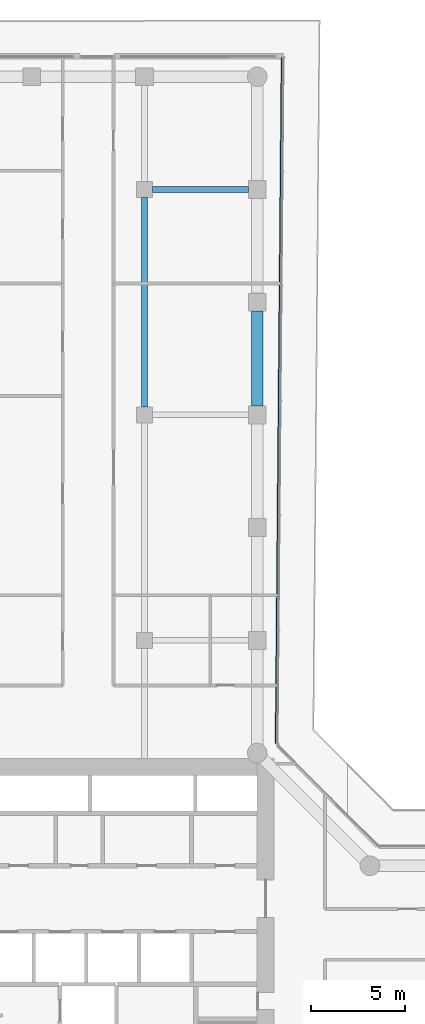
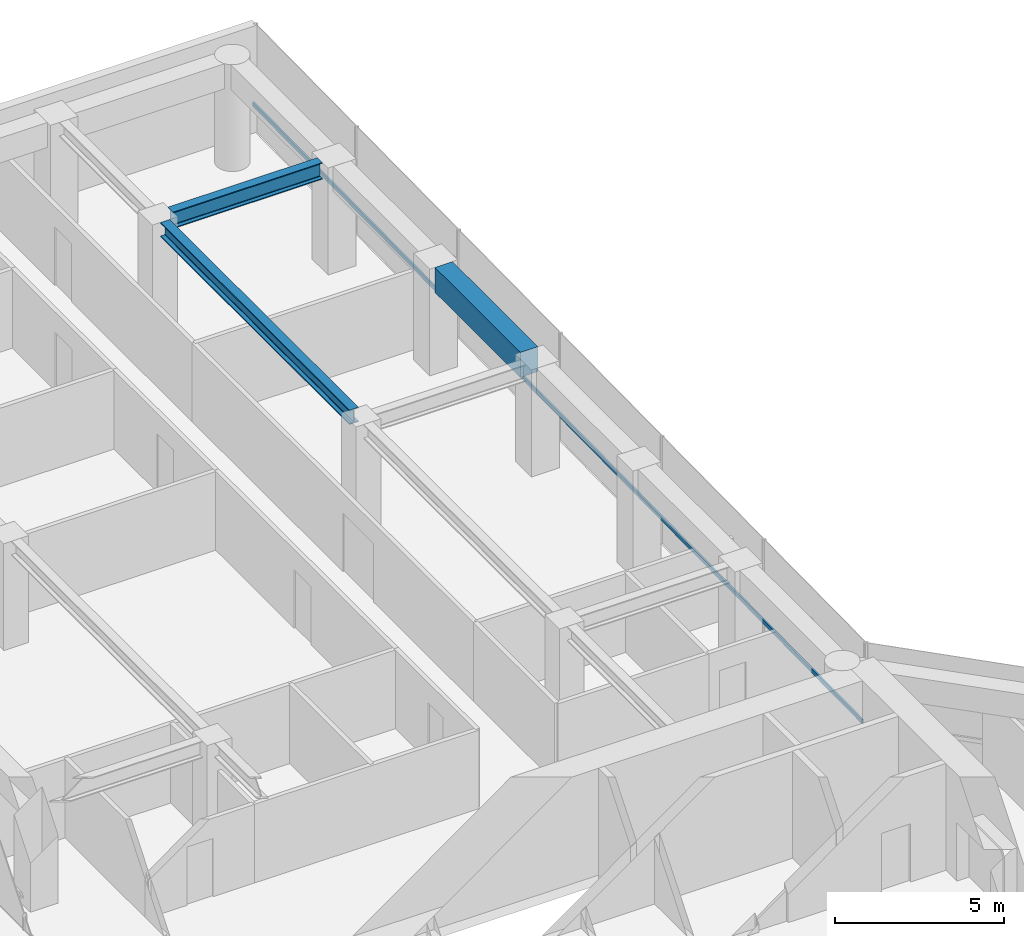
# One storey, part 18 of 29: 3 beams, 1 member, 1 element without a shape of its own.
"""IFC4 building model written with IfcOpenShell, lengths in metres."""

from ifc_helpers import new_model, si_unit, direction, frame, origin, origin_2d, place, context, subcontext, project, spatial, rectangle, i_section, extrude, material, layer, layer_set, material_profile, profile_set, type_object, element, aggregate, save


model = new_model("IFC4")

# Units and contexts
model_context = context("Model", 3, precision=1e-05, world=origin(), true_north=direction((0.0, 1.0)))
body_context = subcontext(model_context, "Body", "Model", "MODEL_VIEW")
ifc_project = project(units=[si_unit("LENGTHUNIT", "METRE"), si_unit("AREAUNIT", "SQUARE_METRE"), si_unit("VOLUMEUNIT", "CUBIC_METRE"), si_unit("PLANEANGLEUNIT", "RADIAN"), si_unit("MASSUNIT", "GRAM", prefix="KILO")], contexts=[model_context])

# Site, building, storey
site_placement = place(None, origin())
site = spatial("IfcSite", under=ifc_project, at=site_placement, CompositionType="ELEMENT")
building_placement = place(site_placement, origin())
building = spatial("IfcBuilding", under=site, at=building_placement, Name="Welwitschia Terrace Campus", CompositionType="ELEMENT")
storey_placement = place(building_placement, frame((0.0, 0.0, 50.0)))
storey = spatial("IfcBuildingStorey", under=building, at=storey_placement, Name="L11", CompositionType="ELEMENT", Elevation=50.0)

# Beams
ifc_material_1 = material(Name="Steel S355", Category="steel")
ifc_material_profile_1 = material_profile(ifc_material_1, i_section(OverallWidth=0.305908203125, OverallDepth=0.52392578125, WebThickness=0.02099609375, FlangeThickness=0.0400390625, FilletRadius=0.027099609375, at=origin_2d()))
ifc_profile_set_1 = profile_set([ifc_material_profile_1], Name="Steel S355")
beam_type_1 = type_object("IfcBeamType", Name="Interior girder HE 500 M", PredefinedType="BEAM", material=ifc_profile_set_1)
beam_1_placement = place(storey_placement, frame((18.0, 44.425537109375, 3.587890625), z_axis=(0.0, 1.0, 0.0), x_axis=(-1.0, 0.0, 0.0)))
element("IfcBeam", 1, at=beam_1_placement, inside=storey, type_object=beam_type_1, Name="Girder GB2", PredefinedType="BEAM", context=body_context, shape_type="SweptSolid", body=[
    extrude(i_section(OverallWidth=0.305908203125, OverallDepth=0.52392578125, WebThickness=0.02099609375, FlangeThickness=0.0400390625, FilletRadius=0.027099609375, at=origin_2d()), origin(), (0.0, 0.0, 1.0), 11.14892578125),
])
ifc_material_2 = material(Name="Steel S355", Category="steel")
ifc_material_profile_2 = material_profile(ifc_material_2, i_section(OverallWidth=0.300048828125, OverallDepth=0.60009765625, WebThickness=0.015380859375, FlangeThickness=0.030029296875, FilletRadius=0.027099609375, at=origin_2d()))
ifc_profile_set_2 = profile_set([ifc_material_profile_2], Name="Steel S355")
beam_type_2 = type_object("IfcBeamType", Name="Primary beam HE 600 B", PredefinedType="BEAM", material=ifc_profile_set_2)
beam_2_placement = place(storey_placement, frame((23.5244140625, 56.0, 3.550048828125), z_axis=(-1.0, 0.0, 0.0), x_axis=(0.0, -1.0, 0.0)))
element("IfcBeam", 2, at=beam_2_placement, inside=storey, type_object=beam_type_2, Name="Primary beam PB2", PredefinedType="BEAM", context=body_context, shape_type="SweptSolid", body=[
    extrude(i_section(OverallWidth=0.300048828125, OverallDepth=0.60009765625, WebThickness=0.015380859375, FlangeThickness=0.030029296875, FilletRadius=0.027099609375, at=origin_2d()), origin(), (0.0, 0.0, 1.0), 5.098876953125),
])
ifc_material_3 = material(Name="Concrete C60/75", Category="concrete")
ifc_material_profile_3 = material_profile(ifc_material_3, rectangle(XDim=0.60009765625, YDim=0.89990234375, at=origin_2d()))
ifc_profile_set_3 = profile_set([ifc_material_profile_3], Name="Concrete C60/75")
beam_type_3 = type_object("IfcBeamType", Name="Ring spandrel 600x900", PredefinedType="SPANDREL", material=ifc_profile_set_3)
beam_3_placement = place(storey_placement, frame((24.0, 44.4755859375, 3.39990234375), z_axis=(0.0, 1.0, 0.0), x_axis=(-1.0, 0.0, 0.0)))
element("IfcBeam", 3, at=beam_3_placement, inside=storey, type_object=beam_type_3, Name="Spandrel SP2", PredefinedType="SPANDREL", context=body_context, shape_type="SweptSolid", body=[
    extrude(rectangle(XDim=0.60009765625, YDim=0.89990234375, at=origin_2d()), origin(), (0.0, 0.0, 1.0), 5.048828125),
])

# Curtain wall, member
ifc_material_4 = material(Name="Bronze anodised aluminium", Category="aluminium")
ifc_layer = layer(ifc_material_4, 0.1201171875)
ifc_layer_set = layer_set([ifc_layer], Name="Bronze anodised aluminium")
curtain_wall_type = type_object("IfcCurtainWallType", Name="Curtain wall CW2 tower 6000", PredefinedType="NOTDEFINED", material=ifc_layer_set)
curtain_wall_placement = place(storey_placement, origin())
curtain_wall = element("IfcCurtainWall", 4, at=curtain_wall_placement, inside=storey, type_object=curtain_wall_type, Name="CW L11.8.0", PredefinedType="NOTDEFINED")
ifc_material_5 = material(Name="Bronze anodised aluminium", Category="aluminium")
ifc_material_profile_4 = material_profile(ifc_material_5, rectangle(XDim=0.06005859375, YDim=0.14990234375, at=origin_2d()))
ifc_profile_set_4 = profile_set([ifc_material_profile_4], Name="Bronze anodised aluminium")
member_type = type_object("IfcMemberType", Name="Transom 60x150", PredefinedType="USERDEFINED", material=ifc_profile_set_4)
member_placement = place(storey_placement, frame((24.9873046875, 26.518310546875, 1.0), z_axis=(0.008728822825, 0.9999619031, 0.0), x_axis=(-0.9999619031, 0.008728822825, 0.0)))
member = element("IfcMember", 5, at=member_placement, type_object=member_type, Name="Transom L11.8.0", ObjectType="TRANSOM", PredefinedType="USERDEFINED", context=body_context, shape_type="SweptSolid", body=[
    extrude(rectangle(XDim=0.06005859375, YDim=0.14990234375, at=origin_2d()), origin(), (0.0, 0.0, 1.0), 36.500244140625),
])
aggregate(curtain_wall, [member])

save(model, "model.ifc")
